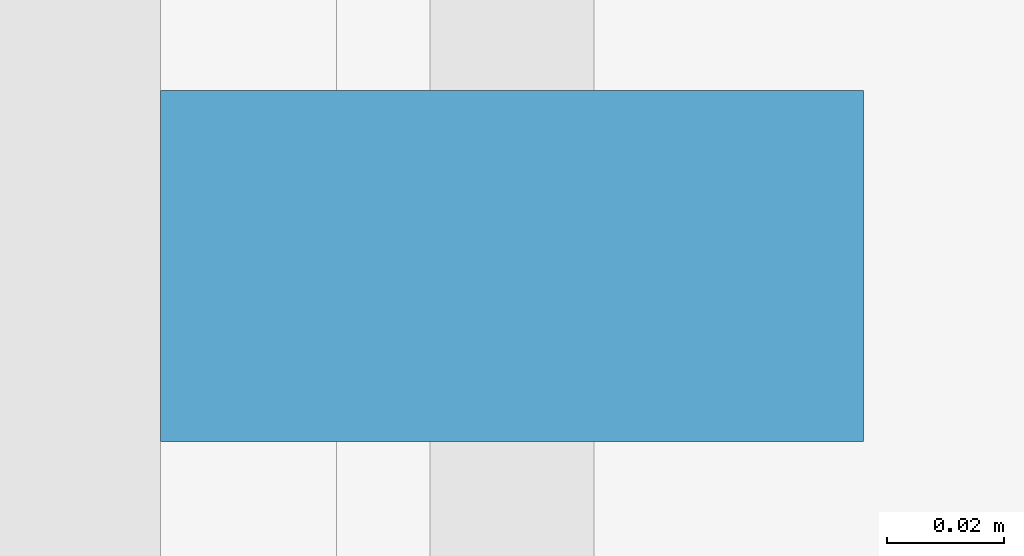
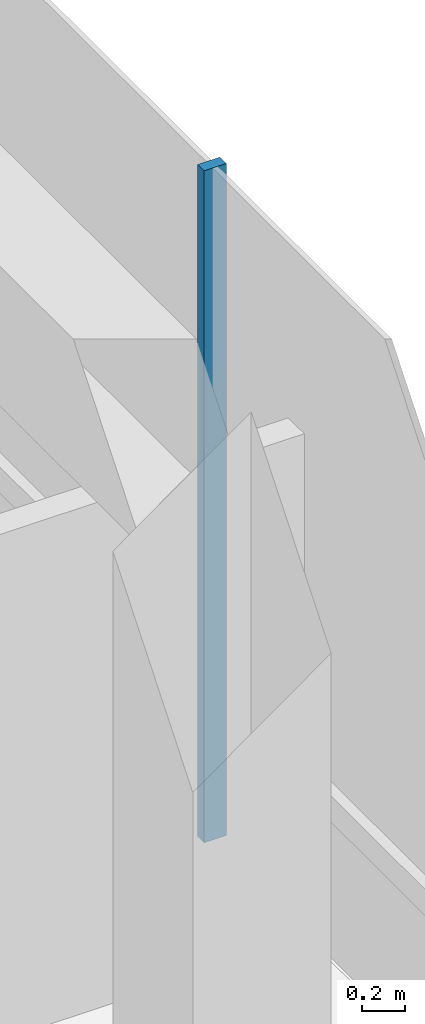
# One storey, part 13 of 21: 1 member, 1 element without a shape of its own.
"""IFC4 building model written with IfcOpenShell, lengths in metres."""

from ifc_helpers import new_model, si_unit, direction, frame, origin, origin_2d, place, context, subcontext, project, spatial, rectangle, extrude, material, layer, layer_set, material_profile, profile_set, type_object, element, aggregate, save


model = new_model("IFC4")

# Units and contexts
model_context = context("Model", 3, precision=1e-05, world=origin(), true_north=direction((0.0, 1.0)))
body_context = subcontext(model_context, "Body", "Model", "MODEL_VIEW")
ifc_project = project(units=[si_unit("LENGTHUNIT", "METRE"), si_unit("AREAUNIT", "SQUARE_METRE"), si_unit("VOLUMEUNIT", "CUBIC_METRE"), si_unit("PLANEANGLEUNIT", "RADIAN"), si_unit("MASSUNIT", "GRAM", prefix="KILO")], contexts=[model_context])

# Site, building, storey
site_placement = place(None, origin())
site = spatial("IfcSite", under=ifc_project, at=site_placement, CompositionType="ELEMENT")
building_placement = place(site_placement, origin())
building = spatial("IfcBuilding", under=site, at=building_placement, Name="Welwitschia Terrace Campus", CompositionType="ELEMENT")
storey_placement = place(building_placement, frame((0.0, 0.0, 302.0)))
storey = spatial("IfcBuildingStorey", under=building, at=storey_placement, Name="L67", CompositionType="ELEMENT", Elevation=302.0)

# Curtain wall, member
ifc_material_1 = material(Name="Bronze anodised aluminium", Category="aluminium")
ifc_layer = layer(ifc_material_1, 0.1201171875)
ifc_layer_set = layer_set([ifc_layer], Name="Bronze anodised aluminium")
curtain_wall_type = type_object("IfcCurtainWallType", Name="Curtain wall CW2 tower 6000", PredefinedType="NOTDEFINED", material=ifc_layer_set)
curtain_wall_placement = place(storey_placement, origin())
curtain_wall = element("IfcCurtainWall", 1, at=curtain_wall_placement, inside=storey, type_object=curtain_wall_type, Name="CW L67.6.0", PredefinedType="NOTDEFINED")
ifc_material_2 = material(Name="Bronze anodised aluminium", Category="aluminium")
ifc_material_profile = material_profile(ifc_material_2, rectangle(XDim=0.1201171875, YDim=0.06005859375, at=origin_2d()))
ifc_profile_set = profile_set([ifc_material_profile], Name="Bronze anodised aluminium")
member_type = type_object("IfcMemberType", Name="Mullion 60x120", PredefinedType="MULLION", material=ifc_profile_set)
member_placement = place(storey_placement, frame((25.030029296875, 45.8779296875, 0.0), z_axis=(0.0, 0.0, 1.0), x_axis=(-1.0, 0.0, 0.0)))
member = element("IfcMember", 2, at=member_placement, type_object=member_type, Name="Mullion L67.6.0.3", PredefinedType="MULLION", context=body_context, shape_type="SweptSolid", body=[
    extrude(rectangle(XDim=0.1201171875, YDim=0.06005859375, at=origin_2d()), origin(), (0.0, 0.0, 1.0), 3.85009765625),
])
aggregate(curtain_wall, [member])

save(model, "model.ifc")
